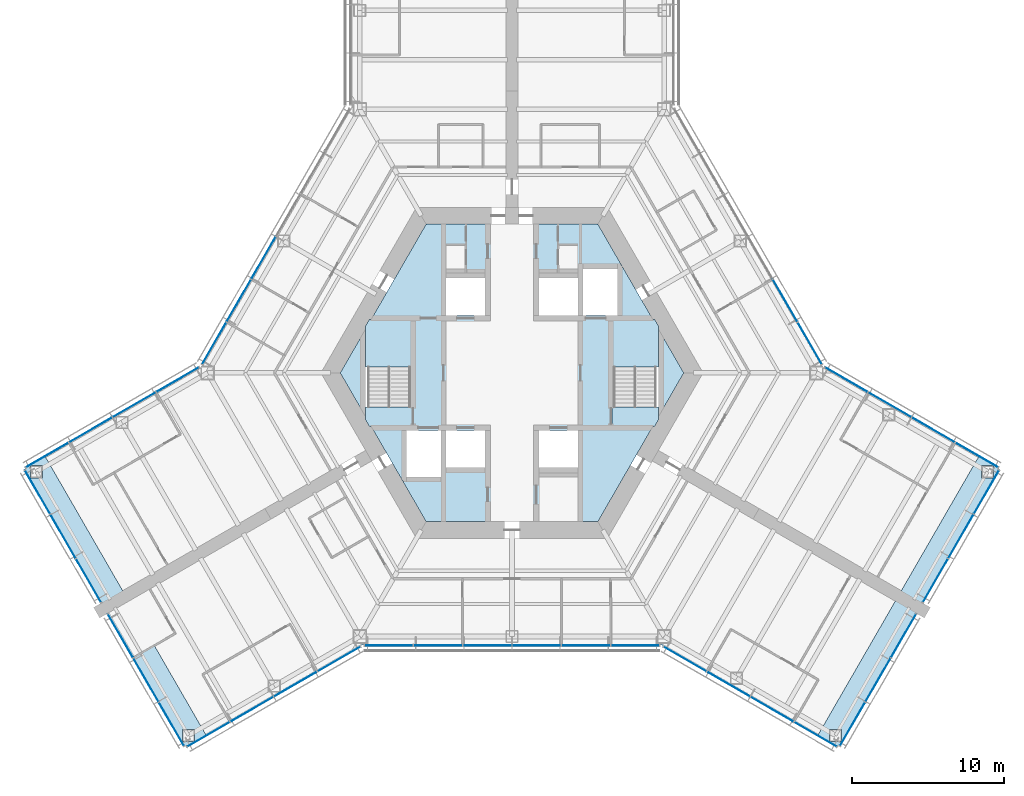
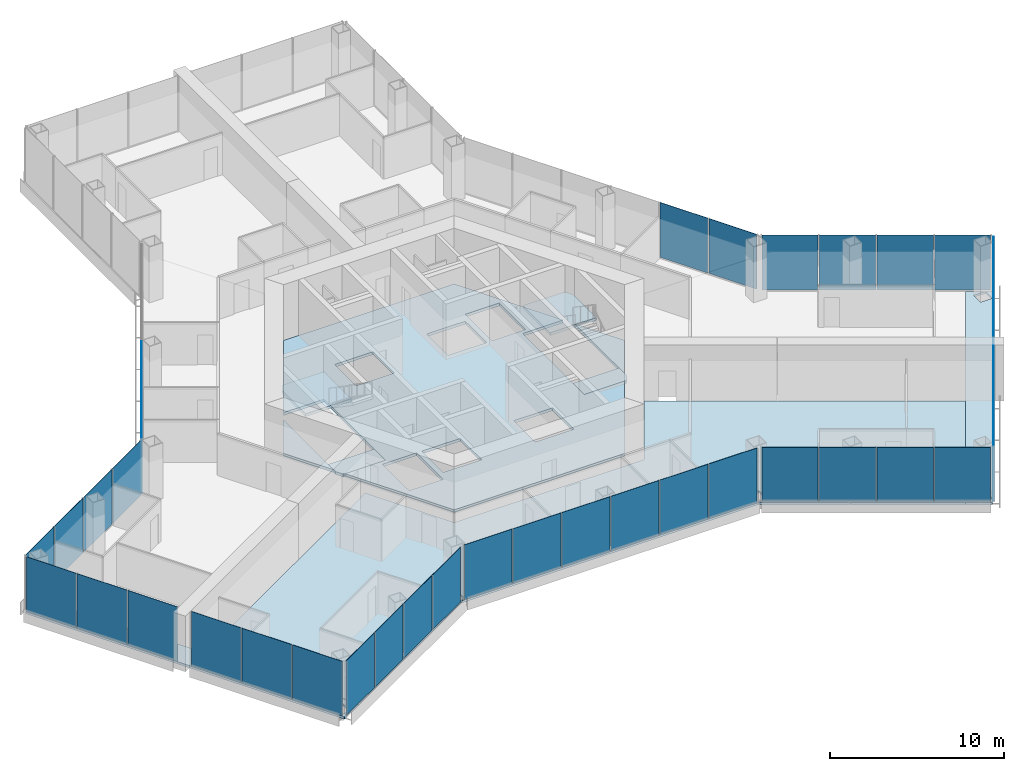
# One storey, part 10 of 18: 39 plates, 10 slabs, 13 elements without a shape of their own.
"""IFC4 building model written with IfcOpenShell, lengths in metres."""

from ifc_helpers import new_model, si_unit, direction, frame, origin, origin_2d, place, context, subcontext, project, spatial, polyline, rectangle, outline, extrude, material, layer, layer_set, type_object, element, aggregate, save


model = new_model("IFC4")

# Units and contexts
model_context = context("Model", 3, precision=1e-05, world=origin(), true_north=direction((0.0, 1.0)))
body_context = subcontext(model_context, "Body", "Model", "MODEL_VIEW")
ifc_project = project(units=[si_unit("LENGTHUNIT", "METRE"), si_unit("AREAUNIT", "SQUARE_METRE"), si_unit("VOLUMEUNIT", "CUBIC_METRE"), si_unit("PLANEANGLEUNIT", "RADIAN"), si_unit("MASSUNIT", "GRAM", prefix="KILO")], contexts=[model_context])

# Site, building, storey
site_placement = place(None, origin())
site = spatial("IfcSite", under=ifc_project, at=site_placement, CompositionType="ELEMENT")
building_placement = place(site_placement, origin())
building = spatial("IfcBuilding", under=site, at=building_placement, Name="Kasaneha Research Tower", CompositionType="ELEMENT")
storey_placement = place(building_placement, frame((0.0, 0.0, 115.800048828125)))
storey = spatial("IfcBuildingStorey", under=building, at=storey_placement, Name="L29", CompositionType="ELEMENT", Elevation=115.800048828125)

# Curtain wall, plates
ifc_material_1 = material(Name="Glass and aluminium", Category="aluminium")
curtain_wall_type = type_object("IfcCurtainWallType", Name="Low-rise office curtain wall", PredefinedType="USERDEFINED", material=ifc_material_1)
curtain_wall_1_placement = place(storey_placement, origin())
curtain_wall_1 = element("IfcCurtainWall", 1, at=curtain_wall_1_placement, inside=storey, type_object=curtain_wall_type, Name="CW-O1 L29 run 01a", ObjectType="UNITISED CURTAIN WALL", PredefinedType="USERDEFINED")
ifc_material_2 = material(Name="Laminated double glazing", Category="glass")
ifc_layer_1 = layer(ifc_material_2, 0.028076171875)
ifc_layer_set_1 = layer_set([ifc_layer_1], Name="CW-O1 glazed panel")
plate_type = type_object("IfcPlateType", Name="CW-O1 glazed panel", PredefinedType="CURTAIN_PANEL", material=ifc_layer_set_1)
plate_1_placement = place(storey_placement, frame((-19.945068359375, -23.755126953125, 0.06005859375), z_axis=(0.0, 0.0, 1.0), x_axis=(0.866025411464, 0.499999986699, 0.0)))
plate_1 = element("IfcPlate", 2, at=plate_1_placement, type_object=plate_type, Name="CW-O1 panel 1", PredefinedType="CURTAIN_PANEL", context=body_context, shape_type="SweptSolid", body=[
    extrude(rectangle(XDim=3.2197265625, YDim=0.028076171875, at=origin_2d()), origin(), (0.0, 0.0, 1.0), 3.840087890625),
])
plate_2_placement = place(storey_placement, frame((-17.091796875, -22.107666015625, 0.06005859375), z_axis=(0.0, 0.0, 1.0), x_axis=(0.866025411464, 0.499999986699, 0.0)))
plate_2 = element("IfcPlate", 3, at=plate_2_placement, type_object=plate_type, Name="CW-O1 panel 2", PredefinedType="CURTAIN_PANEL", context=body_context, shape_type="SweptSolid", body=[
    extrude(rectangle(XDim=3.249755859375, YDim=0.028076171875, at=origin_2d()), origin(), (0.0, 0.0, 1.0), 3.840087890625),
])
plate_3_placement = place(storey_placement, frame((-14.225341796875, -20.452880859375, 0.06005859375), z_axis=(0.0, 0.0, 1.0), x_axis=(0.866025411464, 0.499999986699, 0.0)))
plate_3 = element("IfcPlate", 4, at=plate_3_placement, type_object=plate_type, Name="CW-O1 panel 3", PredefinedType="CURTAIN_PANEL", context=body_context, shape_type="SweptSolid", body=[
    extrude(rectangle(XDim=3.249755859375, YDim=0.028076171875, at=origin_2d()), origin(), (0.0, 0.0, 1.0), 3.840087890625),
])
plate_4_placement = place(storey_placement, frame((-11.3720703125, -18.805419921875, 0.06005859375), z_axis=(0.0, 0.0, 1.0), x_axis=(0.866025411464, 0.499999986699, 0.0)))
plate_4 = element("IfcPlate", 5, at=plate_4_placement, type_object=plate_type, Name="CW-O1 panel 4", PredefinedType="CURTAIN_PANEL", context=body_context, shape_type="SweptSolid", body=[
    extrude(rectangle(XDim=3.2197265625, YDim=0.028076171875, at=origin_2d()), origin(), (0.0, 0.0, 1.0), 3.840087890625),
])
aggregate(curtain_wall_1, [plate_1, plate_2, plate_3, plate_4])

curtain_wall_2_placement = place(storey_placement, origin())
curtain_wall_2 = element("IfcCurtainWall", 6, at=curtain_wall_2_placement, inside=storey, type_object=curtain_wall_type, Name="CW-O1 L29 run 02a", ObjectType="UNITISED CURTAIN WALL", PredefinedType="USERDEFINED")
plate_5_placement = place(storey_placement, frame((-8.10107421875, -17.92041015625, 0.06005859375), z_axis=(0.0, 0.0, 1.0), x_axis=(1.0, 0.0, 0.0)))
plate_5 = element("IfcPlate", 7, at=plate_5_placement, type_object=plate_type, Name="CW-O1 panel 1", PredefinedType="CURTAIN_PANEL", context=body_context, shape_type="SweptSolid", body=[
    extrude(rectangle(XDim=3.156494140625, YDim=0.028076171875, at=origin_2d()), origin(), (0.0, 0.0, 1.0), 3.840087890625),
])
plate_6_placement = place(storey_placement, frame((-4.86962890625, -17.92041015625, 0.06005859375), z_axis=(0.0, 0.0, 1.0), x_axis=(1.0, 0.0, 0.0)))
plate_6 = element("IfcPlate", 8, at=plate_6_placement, type_object=plate_type, Name="CW-O1 panel 2", PredefinedType="CURTAIN_PANEL", context=body_context, shape_type="SweptSolid", body=[
    extrude(rectangle(XDim=3.1865234375, YDim=0.028076171875, at=origin_2d()), origin(), (0.0, 0.0, 1.0), 3.840087890625),
])
plate_7_placement = place(storey_placement, frame((-1.623291015625, -17.92041015625, 0.06005859375), z_axis=(0.0, 0.0, 1.0), x_axis=(1.0, 0.0, 0.0)))
plate_7 = element("IfcPlate", 9, at=plate_7_placement, type_object=plate_type, Name="CW-O1 panel 3", PredefinedType="CURTAIN_PANEL", context=body_context, shape_type="SweptSolid", body=[
    extrude(rectangle(XDim=3.1865234375, YDim=0.028076171875, at=origin_2d()), origin(), (0.0, 0.0, 1.0), 3.840087890625),
])
plate_8_placement = place(storey_placement, frame((1.623291015625, -17.92041015625, 0.06005859375), z_axis=(0.0, 0.0, 1.0), x_axis=(1.0, 0.0, 0.0)))
plate_8 = element("IfcPlate", 10, at=plate_8_placement, type_object=plate_type, Name="CW-O1 panel 4", PredefinedType="CURTAIN_PANEL", context=body_context, shape_type="SweptSolid", body=[
    extrude(rectangle(XDim=3.1865234375, YDim=0.028076171875, at=origin_2d()), origin(), (0.0, 0.0, 1.0), 3.840087890625),
])
plate_9_placement = place(storey_placement, frame((4.86962890625, -17.92041015625, 0.06005859375), z_axis=(0.0, 0.0, 1.0), x_axis=(1.0, 0.0, 0.0)))
plate_9 = element("IfcPlate", 11, at=plate_9_placement, type_object=plate_type, Name="CW-O1 panel 5", PredefinedType="CURTAIN_PANEL", context=body_context, shape_type="SweptSolid", body=[
    extrude(rectangle(XDim=3.1865234375, YDim=0.028076171875, at=origin_2d()), origin(), (0.0, 0.0, 1.0), 3.840087890625),
])
plate_10_placement = place(storey_placement, frame((8.10107421875, -17.92041015625, 0.06005859375), z_axis=(0.0, 0.0, 1.0), x_axis=(1.0, 0.0, 0.0)))
plate_10 = element("IfcPlate", 12, at=plate_10_placement, type_object=plate_type, Name="CW-O1 panel 6", PredefinedType="CURTAIN_PANEL", context=body_context, shape_type="SweptSolid", body=[
    extrude(rectangle(XDim=3.156494140625, YDim=0.028076171875, at=origin_2d()), origin(), (0.0, 0.0, 1.0), 3.840087890625),
])
aggregate(curtain_wall_2, [plate_5, plate_6, plate_7, plate_8, plate_9, plate_10])

curtain_wall_3_placement = place(storey_placement, origin())
curtain_wall_3 = element("IfcCurtainWall", 13, at=curtain_wall_3_placement, inside=storey, type_object=curtain_wall_type, Name="CW-O1 L29 run 03a", ObjectType="UNITISED CURTAIN WALL", PredefinedType="USERDEFINED")
plate_11_placement = place(storey_placement, frame((11.3720703125, -18.805419921875, 0.06005859375), z_axis=(0.0, 0.0, 1.0), x_axis=(0.866025411464, -0.499999986699, 0.0)))
plate_11 = element("IfcPlate", 14, at=plate_11_placement, type_object=plate_type, Name="CW-O1 panel 1", PredefinedType="CURTAIN_PANEL", context=body_context, shape_type="SweptSolid", body=[
    extrude(rectangle(XDim=3.2197265625, YDim=0.028076171875, at=origin_2d()), origin(), (0.0, 0.0, 1.0), 3.840087890625),
])
plate_12_placement = place(storey_placement, frame((14.225341796875, -20.452880859375, 0.06005859375), z_axis=(0.0, 0.0, 1.0), x_axis=(0.866025411464, -0.499999986699, 0.0)))
plate_12 = element("IfcPlate", 15, at=plate_12_placement, type_object=plate_type, Name="CW-O1 panel 2", PredefinedType="CURTAIN_PANEL", context=body_context, shape_type="SweptSolid", body=[
    extrude(rectangle(XDim=3.249755859375, YDim=0.028076171875, at=origin_2d()), origin(), (0.0, 0.0, 1.0), 3.840087890625),
])
plate_13_placement = place(storey_placement, frame((17.091796875, -22.107666015625, 0.06005859375), z_axis=(0.0, 0.0, 1.0), x_axis=(0.866025411464, -0.499999986699, 0.0)))
plate_13 = element("IfcPlate", 16, at=plate_13_placement, type_object=plate_type, Name="CW-O1 panel 3", PredefinedType="CURTAIN_PANEL", context=body_context, shape_type="SweptSolid", body=[
    extrude(rectangle(XDim=3.249755859375, YDim=0.028076171875, at=origin_2d()), origin(), (0.0, 0.0, 1.0), 3.840087890625),
])
plate_14_placement = place(storey_placement, frame((19.945068359375, -23.755126953125, 0.06005859375), z_axis=(0.0, 0.0, 1.0), x_axis=(0.866025411464, -0.499999986699, 0.0)))
plate_14 = element("IfcPlate", 17, at=plate_14_placement, type_object=plate_type, Name="CW-O1 panel 4", PredefinedType="CURTAIN_PANEL", context=body_context, shape_type="SweptSolid", body=[
    extrude(rectangle(XDim=3.2197265625, YDim=0.028076171875, at=origin_2d()), origin(), (0.0, 0.0, 1.0), 3.840087890625),
])
aggregate(curtain_wall_3, [plate_11, plate_12, plate_13, plate_14])

curtain_wall_4_placement = place(storey_placement, origin())
curtain_wall_4 = element("IfcCurtainWall", 18, at=curtain_wall_4_placement, inside=storey, type_object=curtain_wall_type, Name="CW-O1 L29 run 04a", ObjectType="UNITISED CURTAIN WALL", PredefinedType="USERDEFINED")
plate_15_placement = place(storey_placement, frame((22.377197265625, -23.082763671875, 0.06005859375), z_axis=(0.0, 0.0, 1.0), x_axis=(0.500000011442, 0.866025397178, 0.0)))
plate_15 = element("IfcPlate", 19, at=plate_15_placement, type_object=plate_type, Name="CW-O1 panel 1", PredefinedType="CURTAIN_PANEL", context=body_context, shape_type="SweptSolid", body=[
    extrude(rectangle(XDim=3.276611328125, YDim=0.028076171875, at=origin_2d()), origin(), (0.0, 0.0, 1.0), 3.840087890625),
])
plate_16_placement = place(storey_placement, frame((24.052978515625, -20.18017578125, 0.06005859375), z_axis=(0.0, 0.0, 1.0), x_axis=(0.500000011442, 0.866025397178, 0.0)))
plate_16 = element("IfcPlate", 20, at=plate_16_placement, type_object=plate_type, Name="CW-O1 panel 2", PredefinedType="CURTAIN_PANEL", context=body_context, shape_type="SweptSolid", body=[
    extrude(rectangle(XDim=3.306640625, YDim=0.028076171875, at=origin_2d()), origin(), (0.0, 0.0, 1.0), 3.840087890625),
])
plate_17_placement = place(storey_placement, frame((25.728759765625, -17.27734375, 0.06005859375), z_axis=(0.0, 0.0, 1.0), x_axis=(0.500000011442, 0.866025397178, 0.0)))
plate_17 = element("IfcPlate", 21, at=plate_17_placement, type_object=plate_type, Name="CW-O1 panel 3", PredefinedType="CURTAIN_PANEL", context=body_context, shape_type="SweptSolid", body=[
    extrude(rectangle(XDim=3.276611328125, YDim=0.028076171875, at=origin_2d()), origin(), (0.0, 0.0, 1.0), 3.840087890625),
])
aggregate(curtain_wall_4, [plate_15, plate_16, plate_17])

curtain_wall_5_placement = place(storey_placement, origin())
curtain_wall_5 = element("IfcCurtainWall", 22, at=curtain_wall_5_placement, inside=storey, type_object=curtain_wall_type, Name="CW-O1 L29 run 05a", ObjectType="UNITISED CURTAIN WALL", PredefinedType="USERDEFINED")
plate_18_placement = place(storey_placement, frame((27.8271484375, -13.64306640625, 0.06005859375), z_axis=(0.0, 0.0, 1.0), x_axis=(0.500000011442, 0.866025397178, 0.0)))
plate_18 = element("IfcPlate", 23, at=plate_18_placement, type_object=plate_type, Name="CW-O1 panel 1", PredefinedType="CURTAIN_PANEL", context=body_context, shape_type="SweptSolid", body=[
    extrude(rectangle(XDim=3.276611328125, YDim=0.028076171875, at=origin_2d()), origin(), (0.0, 0.0, 1.0), 3.840087890625),
])
plate_19_placement = place(storey_placement, frame((29.5029296875, -10.740478515625, 0.06005859375), z_axis=(0.0, 0.0, 1.0), x_axis=(0.500000011442, 0.866025397178, 0.0)))
plate_19 = element("IfcPlate", 24, at=plate_19_placement, type_object=plate_type, Name="CW-O1 panel 2", PredefinedType="CURTAIN_PANEL", context=body_context, shape_type="SweptSolid", body=[
    extrude(rectangle(XDim=3.306640625, YDim=0.028076171875, at=origin_2d()), origin(), (0.0, 0.0, 1.0), 3.840087890625),
])
plate_20_placement = place(storey_placement, frame((31.1787109375, -7.837890625, 0.06005859375), z_axis=(0.0, 0.0, 1.0), x_axis=(0.500000011442, 0.866025397178, 0.0)))
plate_20 = element("IfcPlate", 25, at=plate_20_placement, type_object=plate_type, Name="CW-O1 panel 3", PredefinedType="CURTAIN_PANEL", context=body_context, shape_type="SweptSolid", body=[
    extrude(rectangle(XDim=3.276611328125, YDim=0.028076171875, at=origin_2d()), origin(), (0.0, 0.0, 1.0), 3.840087890625),
])
aggregate(curtain_wall_5, [plate_18, plate_19, plate_20])

curtain_wall_6_placement = place(storey_placement, origin())
curtain_wall_6 = element("IfcCurtainWall", 26, at=curtain_wall_6_placement, inside=storey, type_object=curtain_wall_type, Name="CW-O1 L29 run 06a", ObjectType="UNITISED CURTAIN WALL", PredefinedType="USERDEFINED")
plate_21_placement = place(storey_placement, frame((30.545166015625, -5.3955078125, 0.06005859375), z_axis=(0.0, 0.0, 1.0), x_axis=(-0.866025411464, 0.499999986699, 0.0)))
plate_21 = element("IfcPlate", 27, at=plate_21_placement, type_object=plate_type, Name="CW-O1 panel 1", PredefinedType="CURTAIN_PANEL", context=body_context, shape_type="SweptSolid", body=[
    extrude(rectangle(XDim=3.2197265625, YDim=0.028076171875, at=origin_2d()), origin(), (0.0, 0.0, 1.0), 3.840087890625),
])
plate_22_placement = place(storey_placement, frame((27.69189453125, -3.748046875, 0.06005859375), z_axis=(0.0, 0.0, 1.0), x_axis=(-0.866025411464, 0.499999986699, 0.0)))
plate_22 = element("IfcPlate", 28, at=plate_22_placement, type_object=plate_type, Name="CW-O1 panel 2", PredefinedType="CURTAIN_PANEL", context=body_context, shape_type="SweptSolid", body=[
    extrude(rectangle(XDim=3.249755859375, YDim=0.028076171875, at=origin_2d()), origin(), (0.0, 0.0, 1.0), 3.840087890625),
])
plate_23_placement = place(storey_placement, frame((24.825439453125, -2.093017578125, 0.06005859375), z_axis=(0.0, 0.0, 1.0), x_axis=(-0.866025411464, 0.499999986699, 0.0)))
plate_23 = element("IfcPlate", 29, at=plate_23_placement, type_object=plate_type, Name="CW-O1 panel 3", PredefinedType="CURTAIN_PANEL", context=body_context, shape_type="SweptSolid", body=[
    extrude(rectangle(XDim=3.249755859375, YDim=0.028076171875, at=origin_2d()), origin(), (0.0, 0.0, 1.0), 3.840087890625),
])
plate_24_placement = place(storey_placement, frame((21.971923828125, -0.44580078125, 0.06005859375), z_axis=(0.0, 0.0, 1.0), x_axis=(-0.866025411464, 0.499999986699, 0.0)))
plate_24 = element("IfcPlate", 30, at=plate_24_placement, type_object=plate_type, Name="CW-O1 panel 4", PredefinedType="CURTAIN_PANEL", context=body_context, shape_type="SweptSolid", body=[
    extrude(rectangle(XDim=3.2197265625, YDim=0.028076171875, at=origin_2d()), origin(), (0.0, 0.0, 1.0), 3.840087890625),
])
aggregate(curtain_wall_6, [plate_21, plate_22, plate_23, plate_24])

curtain_wall_7_placement = place(storey_placement, origin())
curtain_wall_7 = element("IfcCurtainWall", 31, at=curtain_wall_7_placement, inside=storey, type_object=curtain_wall_type, Name="CW-O1 L29 run 07a", ObjectType="UNITISED CURTAIN WALL", PredefinedType="USERDEFINED")
plate_25_placement = place(storey_placement, frame((19.570068359375, 1.944580078125, 0.06005859375), z_axis=(0.0, 0.0, 1.0), x_axis=(-0.49999996188, 0.866025425793, 0.0)))
plate_25 = element("IfcPlate", 32, at=plate_25_placement, type_object=plate_type, Name="CW-O1 panel 1", PredefinedType="CURTAIN_PANEL", context=body_context, shape_type="SweptSolid", body=[
    extrude(rectangle(XDim=3.156494140625, YDim=0.028076171875, at=origin_2d()), origin(), (0.0, 0.0, 1.0), 3.840087890625),
])
plate_26_placement = place(storey_placement, frame((17.954345703125, 4.7431640625, 0.06005859375), z_axis=(0.0, 0.0, 1.0), x_axis=(-0.49999996188, 0.866025425793, 0.0)))
plate_26 = element("IfcPlate", 33, at=plate_26_placement, type_object=plate_type, Name="CW-O1 panel 2", PredefinedType="CURTAIN_PANEL", context=body_context, shape_type="SweptSolid", body=[
    extrude(rectangle(XDim=3.1865234375, YDim=0.028076171875, at=origin_2d()), origin(), (0.0, 0.0, 1.0), 3.840087890625),
])
aggregate(curtain_wall_7, [plate_25, plate_26])

curtain_wall_8_placement = place(storey_placement, origin())
curtain_wall_8 = element("IfcCurtainWall", 34, at=curtain_wall_8_placement, inside=storey, type_object=curtain_wall_type, Name="CW-O1 L29 run 12a", ObjectType="UNITISED CURTAIN WALL", PredefinedType="USERDEFINED")
plate_27_placement = place(storey_placement, frame((-16.331298828125, 7.554443359375, 0.06005859375), z_axis=(0.0, 0.0, 1.0), x_axis=(-0.49999996188, -0.866025425793, 0.0)))
plate_27 = element("IfcPlate", 35, at=plate_27_placement, type_object=plate_type, Name="CW-O1 panel 4", PredefinedType="CURTAIN_PANEL", context=body_context, shape_type="SweptSolid", body=[
    extrude(rectangle(XDim=3.1865234375, YDim=0.028076171875, at=origin_2d()), origin(), (0.0, 0.0, 1.0), 3.840087890625),
])
plate_28_placement = place(storey_placement, frame((-17.954345703125, 4.7431640625, 0.06005859375), z_axis=(0.0, 0.0, 1.0), x_axis=(-0.49999996188, -0.866025425793, 0.0)))
plate_28 = element("IfcPlate", 36, at=plate_28_placement, type_object=plate_type, Name="CW-O1 panel 5", PredefinedType="CURTAIN_PANEL", context=body_context, shape_type="SweptSolid", body=[
    extrude(rectangle(XDim=3.1865234375, YDim=0.028076171875, at=origin_2d()), origin(), (0.0, 0.0, 1.0), 3.840087890625),
])
plate_29_placement = place(storey_placement, frame((-19.570068359375, 1.944580078125, 0.06005859375), z_axis=(0.0, 0.0, 1.0), x_axis=(-0.49999996188, -0.866025425793, 0.0)))
plate_29 = element("IfcPlate", 37, at=plate_29_placement, type_object=plate_type, Name="CW-O1 panel 6", PredefinedType="CURTAIN_PANEL", context=body_context, shape_type="SweptSolid", body=[
    extrude(rectangle(XDim=3.156494140625, YDim=0.028076171875, at=origin_2d()), origin(), (0.0, 0.0, 1.0), 3.840087890625),
])
aggregate(curtain_wall_8, [plate_27, plate_28, plate_29])

curtain_wall_9_placement = place(storey_placement, origin())
curtain_wall_9 = element("IfcCurtainWall", 38, at=curtain_wall_9_placement, inside=storey, type_object=curtain_wall_type, Name="CW-O1 L29 run 13a", ObjectType="UNITISED CURTAIN WALL", PredefinedType="USERDEFINED")
plate_30_placement = place(storey_placement, frame((-21.971923828125, -0.44580078125, 0.06005859375), z_axis=(0.0, 0.0, 1.0), x_axis=(-0.866025411464, -0.499999986699, 0.0)))
plate_30 = element("IfcPlate", 39, at=plate_30_placement, type_object=plate_type, Name="CW-O1 panel 1", PredefinedType="CURTAIN_PANEL", context=body_context, shape_type="SweptSolid", body=[
    extrude(rectangle(XDim=3.2197265625, YDim=0.028076171875, at=origin_2d()), origin(), (0.0, 0.0, 1.0), 3.840087890625),
])
plate_31_placement = place(storey_placement, frame((-24.825439453125, -2.093017578125, 0.06005859375), z_axis=(0.0, 0.0, 1.0), x_axis=(-0.866025411464, -0.499999986699, 0.0)))
plate_31 = element("IfcPlate", 40, at=plate_31_placement, type_object=plate_type, Name="CW-O1 panel 2", PredefinedType="CURTAIN_PANEL", context=body_context, shape_type="SweptSolid", body=[
    extrude(rectangle(XDim=3.249755859375, YDim=0.028076171875, at=origin_2d()), origin(), (0.0, 0.0, 1.0), 3.840087890625),
])
plate_32_placement = place(storey_placement, frame((-27.69189453125, -3.748046875, 0.06005859375), z_axis=(0.0, 0.0, 1.0), x_axis=(-0.866025411464, -0.499999986699, 0.0)))
plate_32 = element("IfcPlate", 41, at=plate_32_placement, type_object=plate_type, Name="CW-O1 panel 3", PredefinedType="CURTAIN_PANEL", context=body_context, shape_type="SweptSolid", body=[
    extrude(rectangle(XDim=3.249755859375, YDim=0.028076171875, at=origin_2d()), origin(), (0.0, 0.0, 1.0), 3.840087890625),
])
plate_33_placement = place(storey_placement, frame((-30.545166015625, -5.3955078125, 0.06005859375), z_axis=(0.0, 0.0, 1.0), x_axis=(-0.866025411464, -0.499999986699, 0.0)))
plate_33 = element("IfcPlate", 42, at=plate_33_placement, type_object=plate_type, Name="CW-O1 panel 4", PredefinedType="CURTAIN_PANEL", context=body_context, shape_type="SweptSolid", body=[
    extrude(rectangle(XDim=3.2197265625, YDim=0.028076171875, at=origin_2d()), origin(), (0.0, 0.0, 1.0), 3.840087890625),
])
aggregate(curtain_wall_9, [plate_30, plate_31, plate_32, plate_33])

curtain_wall_10_placement = place(storey_placement, origin())
curtain_wall_10 = element("IfcCurtainWall", 43, at=curtain_wall_10_placement, inside=storey, type_object=curtain_wall_type, Name="CW-O1 L29 run 14a", ObjectType="UNITISED CURTAIN WALL", PredefinedType="USERDEFINED")
plate_34_placement = place(storey_placement, frame((-31.1787109375, -7.837890625, 0.06005859375), z_axis=(0.0, 0.0, 1.0), x_axis=(0.500000011442, -0.866025397178, 0.0)))
plate_34 = element("IfcPlate", 44, at=plate_34_placement, type_object=plate_type, Name="CW-O1 panel 1", PredefinedType="CURTAIN_PANEL", context=body_context, shape_type="SweptSolid", body=[
    extrude(rectangle(XDim=3.276611328125, YDim=0.028076171875, at=origin_2d()), origin(), (0.0, 0.0, 1.0), 3.840087890625),
])
plate_35_placement = place(storey_placement, frame((-29.5029296875, -10.740478515625, 0.06005859375), z_axis=(0.0, 0.0, 1.0), x_axis=(0.500000011442, -0.866025397178, 0.0)))
plate_35 = element("IfcPlate", 45, at=plate_35_placement, type_object=plate_type, Name="CW-O1 panel 2", PredefinedType="CURTAIN_PANEL", context=body_context, shape_type="SweptSolid", body=[
    extrude(rectangle(XDim=3.306640625, YDim=0.028076171875, at=origin_2d()), origin(), (0.0, 0.0, 1.0), 3.840087890625),
])
plate_36_placement = place(storey_placement, frame((-27.8271484375, -13.64306640625, 0.06005859375), z_axis=(0.0, 0.0, 1.0), x_axis=(0.500000011442, -0.866025397178, 0.0)))
plate_36 = element("IfcPlate", 46, at=plate_36_placement, type_object=plate_type, Name="CW-O1 panel 3", PredefinedType="CURTAIN_PANEL", context=body_context, shape_type="SweptSolid", body=[
    extrude(rectangle(XDim=3.276611328125, YDim=0.028076171875, at=origin_2d()), origin(), (0.0, 0.0, 1.0), 3.840087890625),
])
aggregate(curtain_wall_10, [plate_34, plate_35, plate_36])

curtain_wall_11_placement = place(storey_placement, origin())
curtain_wall_11 = element("IfcCurtainWall", 47, at=curtain_wall_11_placement, inside=storey, type_object=curtain_wall_type, Name="CW-O1 L29 run 15a", ObjectType="UNITISED CURTAIN WALL", PredefinedType="USERDEFINED")
plate_37_placement = place(storey_placement, frame((-25.728759765625, -17.27734375, 0.06005859375), z_axis=(0.0, 0.0, 1.0), x_axis=(0.500000011442, -0.866025397178, 0.0)))
plate_37 = element("IfcPlate", 48, at=plate_37_placement, type_object=plate_type, Name="CW-O1 panel 1", PredefinedType="CURTAIN_PANEL", context=body_context, shape_type="SweptSolid", body=[
    extrude(rectangle(XDim=3.276611328125, YDim=0.028076171875, at=origin_2d()), origin(), (0.0, 0.0, 1.0), 3.840087890625),
])
plate_38_placement = place(storey_placement, frame((-24.052978515625, -20.18017578125, 0.06005859375), z_axis=(0.0, 0.0, 1.0), x_axis=(0.500000011442, -0.866025397178, 0.0)))
plate_38 = element("IfcPlate", 49, at=plate_38_placement, type_object=plate_type, Name="CW-O1 panel 2", PredefinedType="CURTAIN_PANEL", context=body_context, shape_type="SweptSolid", body=[
    extrude(rectangle(XDim=3.306640625, YDim=0.028076171875, at=origin_2d()), origin(), (0.0, 0.0, 1.0), 3.840087890625),
])
plate_39_placement = place(storey_placement, frame((-22.377197265625, -23.082763671875, 0.06005859375), z_axis=(0.0, 0.0, 1.0), x_axis=(0.500000011442, -0.866025397178, 0.0)))
plate_39 = element("IfcPlate", 50, at=plate_39_placement, type_object=plate_type, Name="CW-O1 panel 3", PredefinedType="CURTAIN_PANEL", context=body_context, shape_type="SweptSolid", body=[
    extrude(rectangle(XDim=3.276611328125, YDim=0.028076171875, at=origin_2d()), origin(), (0.0, 0.0, 1.0), 3.840087890625),
])
aggregate(curtain_wall_11, [plate_37, plate_38, plate_39])

# Slabs
ifc_material_3 = material(Name="Concrete Fc24", Category="concrete")
ifc_layer_2 = layer(ifc_material_3, 0.199951171875)
ifc_layer_set_2 = layer_set([ifc_layer_2], Name="Core floor slab 200")
slab_type_1 = type_object("IfcSlabType", Name="Core floor slab 200", PredefinedType="FLOOR", material=ifc_layer_set_2)
slab_1_placement = place(storey_placement, frame((0.0, 0.0, -0.199951171875)))
element("IfcSlab", 51, at=slab_1_placement, inside=storey, type_object=slab_type_1, Name="Core slab L29", PredefinedType="FLOOR", context=body_context, shape_type="SweptSolid", body=[
    extrude(outline(polyline([(-11.287109375, 0.0), (-9.625, 2.87890625), (-9.625, -2.87890625), (-11.287109375, 0.0)])), origin(), (0.0, 0.0, 1.0), 0.199951171875),
])
slab_2_placement = place(storey_placement, frame((0.0, 0.0, -0.199951171875)))
element("IfcSlab", 52, at=slab_2_placement, inside=storey, type_object=slab_type_1, Name="Core slab L29", PredefinedType="FLOOR", context=body_context, shape_type="SweptSolid", body=[
    extrude(outline(polyline([(-5.6435546875, 9.77490234375), (5.6435546875, 9.77490234375), (9.251953125, 3.52490234375), (6.574951171875, 3.52490234375), (6.574951171875, -3.52490234375), (9.251953125, -3.52490234375), (5.6435546875, -9.77490234375), (-5.6435546875, -9.77490234375), (-9.251953125, -3.52490234375), (-6.574951171875, -3.52490234375), (-6.574951171875, 3.52490234375), (-9.251953125, 3.52490234375), (-5.6435546875, 9.77490234375)]), holes=[polyline([(-6.925048828125, -3.77490234375), (-6.925048828125, -6.824951171875), (-4.675048828125, -6.824951171875), (-4.675048828125, -3.77490234375), (-6.925048828125, -3.77490234375)]), polyline([(-4.324951171875, -3.77490234375), (-4.324951171875, -6.22509765625), (-1.77490234375, -6.22509765625), (-1.77490234375, -3.77490234375), (-4.324951171875, -3.77490234375)]), polyline([(1.77490234375, -3.77490234375), (1.77490234375, -6.22509765625), (4.324951171875, -6.22509765625), (4.324951171875, -3.77490234375), (1.77490234375, -3.77490234375)]), polyline([(-4.324951171875, 6.22509765625), (-4.324951171875, 3.77490234375), (-1.77490234375, 3.77490234375), (-1.77490234375, 6.22509765625), (-4.324951171875, 6.22509765625)]), polyline([(1.77490234375, 6.22509765625), (1.77490234375, 3.77490234375), (4.324951171875, 3.77490234375), (4.324951171875, 6.22509765625), (1.77490234375, 6.22509765625)]), polyline([(4.675048828125, 6.824951171875), (4.675048828125, 3.77490234375), (6.925048828125, 3.77490234375), (6.925048828125, 6.824951171875), (4.675048828125, 6.824951171875)])]), origin(), (0.0, 0.0, 1.0), 0.199951171875),
])
slab_3_placement = place(storey_placement, frame((0.0, 0.0, -0.199951171875)))
element("IfcSlab", 53, at=slab_3_placement, inside=storey, type_object=slab_type_1, Name="Core slab L29", PredefinedType="FLOOR", context=body_context, shape_type="SweptSolid", body=[
    extrude(outline(polyline([(11.287109375, 0.0), (9.625, -2.87890625), (9.625, 2.87890625), (11.287109375, 0.0)])), origin(), (0.0, 0.0, 1.0), 0.199951171875),
])
ifc_material_4 = material(Name="Concrete Fc24", Category="concrete")
ifc_layer_3 = layer(ifc_material_4, 0.14990234375)
ifc_layer_set_3 = layer_set([ifc_layer_3], Name="Floor slab 150")
slab_type_2 = type_object("IfcSlabType", Name="Floor slab 150", PredefinedType="FLOOR", material=ifc_layer_set_3)
slab_4_placement = place(storey_placement, frame((0.0, 0.0, -0.150146484375)))
element("IfcSlab", 54, at=slab_4_placement, inside=storey, type_object=slab_type_2, Name="Floor slab L29 1", PredefinedType="FLOOR", context=body_context, shape_type="SweptSolid", body=[
    extrude(outline(polyline([(-25.1923828125, -15.006591796875), (-25.18359375, -15.001708984375), (-20.108642578125, -23.791748046875), (-21.459716796875, -24.57177734375), (-21.65576171875, -24.232177734375), (-21.644287109375, -24.220703125), (-20.858154296875, -24.220703125), (-20.858154296875, -23.42041015625), (-21.658447265625, -23.42041015625), (-21.658447265625, -24.20654296875), (-21.666015625, -24.214111328125), (-31.65576171875, -6.91162109375), (-31.644287109375, -6.900146484375), (-30.858154296875, -6.900146484375), (-30.858154296875, -6.099853515625), (-31.658447265625, -6.099853515625), (-31.658447265625, -6.885986328125), (-31.666015625, -6.8935546875), (-32.009521484375, -6.298583984375), (-30.65869140625, -5.518798828125), (-25.583740234375, -14.308837890625), (-25.59228515625, -14.313720703125), (-25.1923828125, -15.006591796875)])), origin(), (0.0, 0.0, 1.0), 0.150146484375),
])
slab_5_placement = place(storey_placement, frame((0.0, 0.0, -0.150146484375)))
element("IfcSlab", 55, at=slab_5_placement, inside=storey, type_object=slab_type_2, Name="Floor slab L29 4", PredefinedType="FLOOR", context=body_context, shape_type="SweptSolid", body=[
    extrude(outline(polyline([(-6.278564453125, -10.875), (6.278564453125, -10.875), (9.218017578125, -5.783935546875), (25.18359375, -15.001708984375), (20.108642578125, -23.791748046875), (14.369384765625, -20.478271484375), (14.377197265625, -20.470703125), (15.163330078125, -20.470703125), (15.163330078125, -19.67041015625), (14.363037109375, -19.67041015625), (14.363037109375, -20.45654296875), (14.3515625, -20.468017578125), (9.8525390625, -17.87060546875), (-9.8525390625, -17.87060546875), (-15.217529296875, -20.968017578125), (-15.22900390625, -20.95654296875), (-15.22900390625, -20.17041015625), (-16.029296875, -20.17041015625), (-16.029296875, -20.970703125), (-15.2431640625, -20.970703125), (-15.235595703125, -20.978271484375), (-20.108642578125, -23.791748046875), (-25.18359375, -15.001708984375), (-9.218017578125, -5.783935546875), (-6.278564453125, -10.875)]), holes=[polyline([(0.39990234375, -17.720458984375), (0.39990234375, -16.92041015625), (-0.39990234375, -16.92041015625), (-0.39990234375, -17.720458984375), (0.39990234375, -17.720458984375)]), polyline([(-9.550048828125, -16.87060546875), (-10.449951171875, -16.87060546875), (-10.449951171875, -17.7705078125), (-9.550048828125, -17.7705078125), (-9.550048828125, -16.87060546875)]), polyline([(10.449951171875, -16.87060546875), (9.550048828125, -16.87060546875), (9.550048828125, -17.7705078125), (10.449951171875, -17.7705078125), (10.449951171875, -16.87060546875)])]), origin(), (0.0, 0.0, 1.0), 0.150146484375),
])
slab_6_placement = place(storey_placement, frame((0.0, 0.0, -0.150146484375)))
element("IfcSlab", 56, at=slab_6_placement, inside=storey, type_object=slab_type_2, Name="Floor slab L29 6", PredefinedType="FLOOR", context=body_context, shape_type="SweptSolid", body=[
    extrude(outline(polyline([(25.1923828125, -15.006591796875), (25.59228515625, -14.313720703125), (25.583740234375, -14.308837890625), (30.65869140625, -5.518798828125), (32.009521484375, -6.298583984375), (31.666015625, -6.8935546875), (31.658447265625, -6.885986328125), (31.658447265625, -6.099853515625), (30.858154296875, -6.099853515625), (30.858154296875, -6.900146484375), (31.644287109375, -6.900146484375), (31.65576171875, -6.91162109375), (21.666015625, -24.214111328125), (21.658447265625, -24.20654296875), (21.658447265625, -23.42041015625), (20.858154296875, -23.42041015625), (20.858154296875, -24.220703125), (21.644287109375, -24.220703125), (21.65576171875, -24.232177734375), (21.459716796875, -24.57177734375), (20.108642578125, -23.791748046875), (25.18359375, -15.001708984375), (25.1923828125, -15.006591796875)])), origin(), (0.0, 0.0, 1.0), 0.150146484375),
])

# Stair, slabs
ifc_material_5 = material(Name="Concrete Fc24", Category="concrete")
stair_type = type_object("IfcStairType", Name="Half-turn stair 22 risers", PredefinedType="HALF_TURN_STAIR", material=ifc_material_5)
stair_1_placement = place(storey_placement, origin())
stair_1 = element("IfcStair", 57, at=stair_1_placement, inside=storey, type_object=stair_type, Name="Stair 1 L29", PredefinedType="HALF_TURN_STAIR")
ifc_material_6 = material(Name="Concrete Fc24", Category="concrete")
ifc_layer_4 = layer(ifc_material_6, 0.199951171875)
ifc_layer_set_4 = layer_set([ifc_layer_4], Name="Stair 1 landing 200")
slab_type_3 = type_object("IfcSlabType", Name="Stair 1 landing 200", PredefinedType="LANDING", material=ifc_layer_set_4)
slab_7_placement = place(storey_placement, frame((0.0, 0.0, -0.199951171875)))
slab_7 = element("IfcSlab", 58, at=slab_7_placement, type_object=slab_type_3, Name="ST1-22R landing 1", PredefinedType="LANDING", context=body_context, shape_type="SweptSolid", body=[
    extrude(outline(polyline([(9.367431640625, -3.52490234375), (6.574951171875, -3.52490234375), (6.574951171875, -2.22509765625), (9.625, -2.22509765625), (9.625, -3.0791015625), (9.367431640625, -3.52490234375)])), origin(), (0.0, 0.0, 1.0), 0.199951171875),
])
slab_8_placement = place(storey_placement, frame((0.0, 0.0, 1.75)))
slab_8 = element("IfcSlab", 59, at=slab_8_placement, type_object=slab_type_3, Name="ST1-22R landing 2", PredefinedType="LANDING", context=body_context, shape_type="SweptSolid", body=[
    extrude(outline(polyline([(6.574951171875, 3.52490234375), (9.367431640625, 3.52490234375), (9.625, 3.0791015625), (9.625, 0.375), (6.574951171875, 0.375), (6.574951171875, 3.52490234375)])), origin(), (0.0, 0.0, 1.0), 0.199951171875),
])
aggregate(stair_1, [slab_7, slab_8])

stair_2_placement = place(storey_placement, origin())
stair_2 = element("IfcStair", 60, at=stair_2_placement, inside=storey, type_object=stair_type, Name="Stair 2 L29", PredefinedType="HALF_TURN_STAIR")
ifc_material_7 = material(Name="Concrete Fc24", Category="concrete")
ifc_layer_5 = layer(ifc_material_7, 0.199951171875)
ifc_layer_set_5 = layer_set([ifc_layer_5], Name="Stair 2 landing 200")
slab_type_4 = type_object("IfcSlabType", Name="Stair 2 landing 200", PredefinedType="LANDING", material=ifc_layer_set_5)
slab_9_placement = place(storey_placement, frame((0.0, 0.0, -0.199951171875)))
slab_9 = element("IfcSlab", 61, at=slab_9_placement, type_object=slab_type_4, Name="ST2-22R landing 1", PredefinedType="LANDING", context=body_context, shape_type="SweptSolid", body=[
    extrude(outline(polyline([(-6.574951171875, -3.52490234375), (-9.367431640625, -3.52490234375), (-9.625, -3.0791015625), (-9.625, -2.22509765625), (-6.574951171875, -2.22509765625), (-6.574951171875, -3.52490234375)])), origin(), (0.0, 0.0, 1.0), 0.199951171875),
])
slab_10_placement = place(storey_placement, frame((0.0, 0.0, 1.75)))
slab_10 = element("IfcSlab", 62, at=slab_10_placement, type_object=slab_type_4, Name="ST2-22R landing 2", PredefinedType="LANDING", context=body_context, shape_type="SweptSolid", body=[
    extrude(outline(polyline([(-6.574951171875, 0.375), (-9.625, 0.375), (-9.625, 3.0791015625), (-9.367431640625, 3.52490234375), (-6.574951171875, 3.52490234375), (-6.574951171875, 0.375)])), origin(), (0.0, 0.0, 1.0), 0.199951171875),
])
aggregate(stair_2, [slab_9, slab_10])

save(model, "model.ifc")
